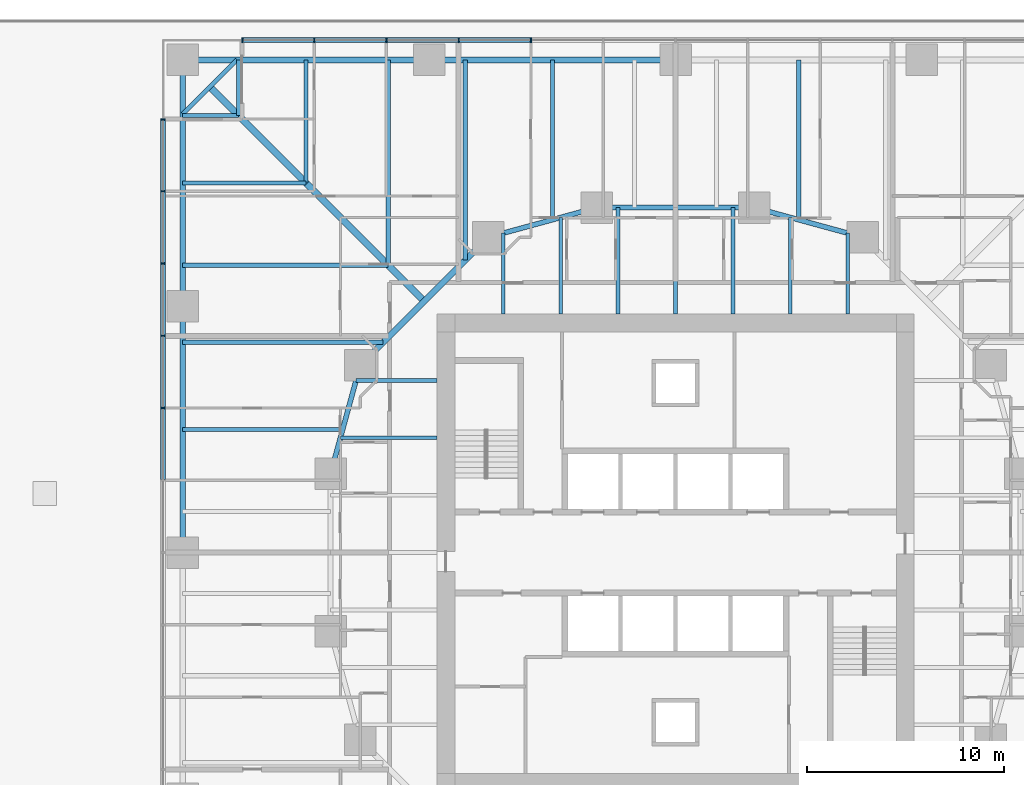
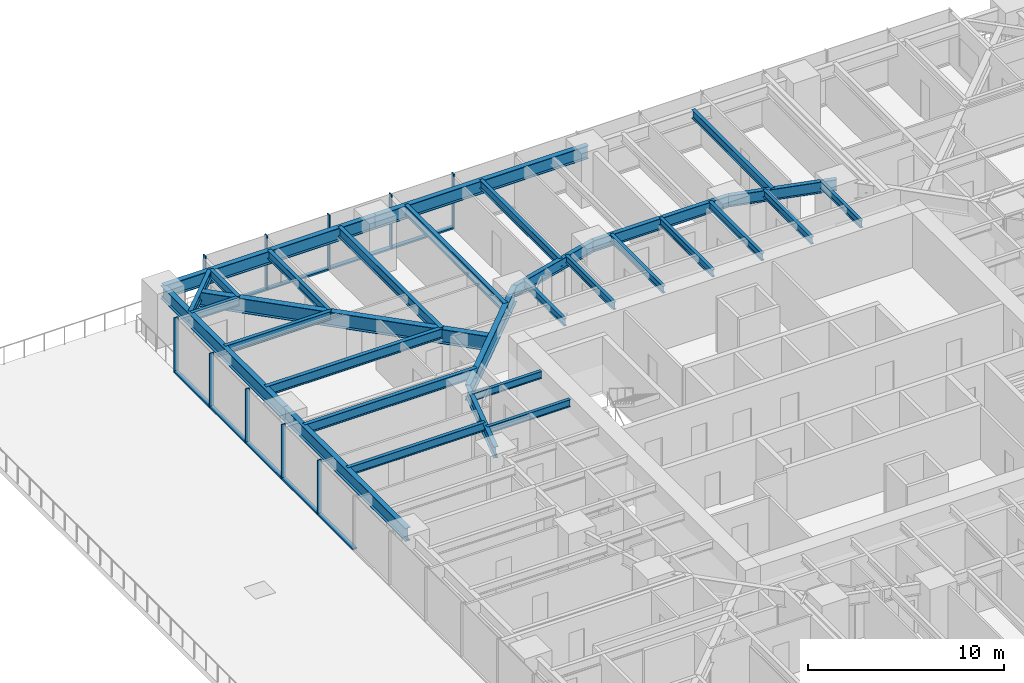
# One storey, part 4 of 15: 31 beams, 19 members, 2 elements without a shape of their own.
"""IFC4 building model written with IfcOpenShell, lengths in metres."""

from ifc_helpers import new_model, si_unit, direction, frame, origin, origin_2d, place, context, subcontext, project, spatial, rectangle, i_section, extrude, material, material_profile, profile_set, type_object, element, aggregate, save


model = new_model("IFC4")

# Units and contexts
model_context = context("Model", 3, precision=1e-05, world=origin(), true_north=direction((0.0, 1.0)))
body_context = subcontext(model_context, "Body", "Model", "MODEL_VIEW")
ifc_project = project(units=[si_unit("LENGTHUNIT", "METRE"), si_unit("AREAUNIT", "SQUARE_METRE"), si_unit("VOLUMEUNIT", "CUBIC_METRE"), si_unit("PLANEANGLEUNIT", "RADIAN"), si_unit("MASSUNIT", "GRAM", prefix="KILO")], contexts=[model_context])

# Site, building, storey
site_placement = place(None, origin())
site = spatial("IfcSite", under=ifc_project, at=site_placement, CompositionType="ELEMENT")
building_placement = place(site_placement, origin())
building = spatial("IfcBuilding", under=site, at=building_placement, Name="Torsade Residences", CompositionType="ELEMENT")
storey_placement = place(building_placement, frame((0.0, 0.0, 15.0)))
storey = spatial("IfcBuildingStorey", under=building, at=storey_placement, Name="L03", CompositionType="ELEMENT", Elevation=15.0)

# Beams
ifc_material_1 = material(Name="Steel grade 300", Category="steel")
ifc_material_profile_1 = material_profile(ifc_material_1, i_section(OverallWidth=0.35009765625, OverallDepth=0.909912109375, WebThickness=0.011962890625, FlangeThickness=0.02490234375, at=origin_2d()), Name="900WB218")
ifc_profile_set_1 = profile_set([ifc_material_profile_1], Name="Steel grade 300")
beam_type_1 = type_object("IfcBeamType", Name="CORNER GIRDER 900WB218", PredefinedType="BEAM", material=ifc_profile_set_1)
beam_1_placement = place(storey_placement, frame((16.375, 53.625, 2.794921875), z_axis=(0.707106781187, -0.707106781187, 0.0), x_axis=(0.707106781187, 0.707106781187, 0.0)))
element("IfcBeam", 1, at=beam_1_placement, inside=storey, type_object=beam_type_1, Name="Corner girder 13 L04", PredefinedType="BEAM", context=body_context, shape_type="SweptSolid", body=[
    extrude(i_section(OverallWidth=0.35009765625, OverallDepth=0.909912109375, WebThickness=0.011962890625, FlangeThickness=0.02490234375, at=origin_2d()), origin(), (0.0, 0.0, 1.0), 15.379638671875),
])
ifc_material_2 = material(Name="Steel grade 300", Category="steel")
ifc_material_profile_2 = material_profile(ifc_material_2, i_section(OverallWidth=0.22802734375, OverallDepth=0.60205078125, WebThickness=0.010498046875, FlangeThickness=0.014892578125, FilletRadius=0.013916015625, at=origin_2d()), Name="610UB101")
ifc_profile_set_2 = profile_set([ifc_material_profile_2], Name="Steel grade 300")
beam_type_2 = type_object("IfcBeamType", Name="CORNER TRIMMER 610UB101", PredefinedType="BEAM", material=ifc_profile_set_2)
beam_2_placement = place(storey_placement, frame((15.0, 52.25, 2.948974609375), z_axis=(0.707106781187, 0.707106781187, 0.0), x_axis=(-0.707106781187, 0.707106781187, 0.0)))
element("IfcBeam", 2, at=beam_2_placement, inside=storey, type_object=beam_type_2, Name="Corner trimmer 13 L04", PredefinedType="BEAM", context=body_context, shape_type="SweptSolid", body=[
    extrude(i_section(OverallWidth=0.22802734375, OverallDepth=0.60205078125, WebThickness=0.010498046875, FlangeThickness=0.014892578125, FilletRadius=0.013916015625, at=origin_2d()), origin(), (0.0, 0.0, 1.0), 3.88916015625),
])

# Curtain wall, members
ifc_material_3 = material(Name="Aluminium and glass", Category="aluminium")
curtain_wall_type = type_object("IfcCurtainWallType", Name="FRITTED GLASS CURTAIN WALL LOW ZONE", PredefinedType="NOTDEFINED", material=ifc_material_3)
curtain_wall_1_placement = place(storey_placement, origin())
curtain_wall_1 = element("IfcCurtainWall", 3, at=curtain_wall_1_placement, inside=storey, type_object=curtain_wall_type, Name="Curtain wall L03 face 7", PredefinedType="NOTDEFINED")
ifc_material_4 = material(Name="Aluminium mullion", Category="aluminium")
ifc_material_profile_3 = material_profile(ifc_material_4, rectangle(XDim=0.25, YDim=0.06494140625, at=origin_2d()), Name="CURTAIN WALL MULLION 250x65")
ifc_profile_set_3 = profile_set([ifc_material_profile_3], Name="Aluminium mullion")
member_type_1 = type_object("IfcMemberType", Name="CURTAIN WALL MULLION 250x65", PredefinedType="MULLION", material=ifc_profile_set_3)
member_1_placement = place(storey_placement, frame((32.666748046875, 56.0, 0.0), z_axis=(0.0, 0.0, 1.0), x_axis=(0.0, -1.0, 0.0)))
member_1 = element("IfcMember", 4, at=member_1_placement, type_object=member_type_1, Name="Mullion 9", PredefinedType="MULLION", context=body_context, shape_type="SweptSolid", body=[
    extrude(rectangle(XDim=0.25, YDim=0.06494140625, at=origin_2d()), origin(), (0.0, 0.0, 1.0), 3.39990234375),
])
member_2_placement = place(storey_placement, frame((29.0, 56.0, 0.0), z_axis=(0.0, 0.0, 1.0), x_axis=(0.0, -1.0, 0.0)))
member_2 = element("IfcMember", 5, at=member_2_placement, type_object=member_type_1, Name="Mullion 10", PredefinedType="MULLION", context=body_context, shape_type="SweptSolid", body=[
    extrude(rectangle(XDim=0.25, YDim=0.06494140625, at=origin_2d()), origin(), (0.0, 0.0, 1.0), 3.39990234375),
])
member_3_placement = place(storey_placement, frame((25.333251953125, 56.0, 0.0), z_axis=(0.0, 0.0, 1.0), x_axis=(0.0, -1.0, 0.0)))
member_3 = element("IfcMember", 6, at=member_3_placement, type_object=member_type_1, Name="Mullion 11", PredefinedType="MULLION", context=body_context, shape_type="SweptSolid", body=[
    extrude(rectangle(XDim=0.25, YDim=0.06494140625, at=origin_2d()), origin(), (0.0, 0.0, 1.0), 3.39990234375),
])
member_4_placement = place(storey_placement, frame((21.666748046875, 56.0, 0.0), z_axis=(0.0, 0.0, 1.0), x_axis=(0.0, -1.0, 0.0)))
member_4 = element("IfcMember", 7, at=member_4_placement, type_object=member_type_1, Name="Mullion 12", PredefinedType="MULLION", context=body_context, shape_type="SweptSolid", body=[
    extrude(rectangle(XDim=0.25, YDim=0.06494140625, at=origin_2d()), origin(), (0.0, 0.0, 1.0), 3.39990234375),
])
member_5_placement = place(storey_placement, frame((18.032470703125, 56.0, 0.0), z_axis=(0.0, 0.0, 1.0), x_axis=(0.0, -1.0, 0.0)))
member_5 = element("IfcMember", 8, at=member_5_placement, type_object=member_type_1, Name="Mullion 13", PredefinedType="MULLION", context=body_context, shape_type="SweptSolid", body=[
    extrude(rectangle(XDim=0.25, YDim=0.06494140625, at=origin_2d()), origin(), (0.0, 0.0, 1.0), 3.39990234375),
])

curtain_wall_2_placement = place(storey_placement, origin())
curtain_wall_2 = element("IfcCurtainWall", 9, at=curtain_wall_2_placement, inside=storey, type_object=curtain_wall_type, Name="Curtain wall L03 face 10", PredefinedType="NOTDEFINED")
member_6_placement = place(storey_placement, frame((14.0, 51.967529296875, 0.0), z_axis=(0.0, 0.0, 1.0), x_axis=(1.0, 0.0, 0.0)))
member_6 = element("IfcMember", 10, at=member_6_placement, type_object=member_type_1, Name="Mullion 1", PredefinedType="MULLION", context=body_context, shape_type="SweptSolid", body=[
    extrude(rectangle(XDim=0.25, YDim=0.06494140625, at=origin_2d()), origin(), (0.0, 0.0, 1.0), 3.39990234375),
])
member_7_placement = place(storey_placement, frame((14.0, 48.333251953125, 0.0), z_axis=(0.0, 0.0, 1.0), x_axis=(1.0, 0.0, 0.0)))
member_7 = element("IfcMember", 11, at=member_7_placement, type_object=member_type_1, Name="Mullion 2", PredefinedType="MULLION", context=body_context, shape_type="SweptSolid", body=[
    extrude(rectangle(XDim=0.25, YDim=0.06494140625, at=origin_2d()), origin(), (0.0, 0.0, 1.0), 3.39990234375),
])
member_8_placement = place(storey_placement, frame((14.0, 44.666748046875, 0.0), z_axis=(0.0, 0.0, 1.0), x_axis=(1.0, 0.0, 0.0)))
member_8 = element("IfcMember", 12, at=member_8_placement, type_object=member_type_1, Name="Mullion 3", PredefinedType="MULLION", context=body_context, shape_type="SweptSolid", body=[
    extrude(rectangle(XDim=0.25, YDim=0.06494140625, at=origin_2d()), origin(), (0.0, 0.0, 1.0), 3.39990234375),
])
member_9_placement = place(storey_placement, frame((14.0, 41.0, 0.0), z_axis=(0.0, 0.0, 1.0), x_axis=(1.0, 0.0, 0.0)))
member_9 = element("IfcMember", 13, at=member_9_placement, type_object=member_type_1, Name="Mullion 4", PredefinedType="MULLION", context=body_context, shape_type="SweptSolid", body=[
    extrude(rectangle(XDim=0.25, YDim=0.06494140625, at=origin_2d()), origin(), (0.0, 0.0, 1.0), 3.39990234375),
])
member_10_placement = place(storey_placement, frame((14.0, 37.333251953125, 0.0), z_axis=(0.0, 0.0, 1.0), x_axis=(1.0, 0.0, 0.0)))
member_10 = element("IfcMember", 14, at=member_10_placement, type_object=member_type_1, Name="Mullion 5", PredefinedType="MULLION", context=body_context, shape_type="SweptSolid", body=[
    extrude(rectangle(XDim=0.25, YDim=0.06494140625, at=origin_2d()), origin(), (0.0, 0.0, 1.0), 3.39990234375),
])

# Member
ifc_material_5 = material(Name="Aluminium transom", Category="aluminium")
ifc_material_profile_4 = material_profile(ifc_material_5, rectangle(XDim=0.25, YDim=0.10009765625, at=origin_2d()), Name="CURTAIN WALL TRANSOM 250x100")
ifc_profile_set_4 = profile_set([ifc_material_profile_4], Name="Aluminium transom")
member_type_2 = type_object("IfcMemberType", Name="CURTAIN WALL TRANSOM 250x100", PredefinedType="USERDEFINED", material=ifc_profile_set_4)
member_11_placement = place(storey_placement, frame((32.63427734375, 56.0, 0.050048828125), z_axis=(-1.0, 0.0, 0.0), x_axis=(0.0, -1.0, 0.0)))
member_11 = element("IfcMember", 15, at=member_11_placement, type_object=member_type_2, Name="Transom 9.1", ObjectType="TRANSOM", PredefinedType="USERDEFINED", context=body_context, shape_type="SweptSolid", body=[
    extrude(rectangle(XDim=0.25, YDim=0.10009765625, at=origin_2d()), origin(), (0.0, 0.0, 1.0), 3.601806640625),
])

member_12_placement = place(storey_placement, frame((28.967529296875, 56.0, 0.050048828125), z_axis=(-1.0, 0.0, 0.0), x_axis=(0.0, -1.0, 0.0)))
member_12 = element("IfcMember", 16, at=member_12_placement, type_object=member_type_2, Name="Transom 10.1", ObjectType="TRANSOM", PredefinedType="USERDEFINED", context=body_context, shape_type="SweptSolid", body=[
    extrude(rectangle(XDim=0.25, YDim=0.10009765625, at=origin_2d()), origin(), (0.0, 0.0, 1.0), 3.601806640625),
])

member_13_placement = place(storey_placement, frame((25.30078125, 56.0, 0.050048828125), z_axis=(-1.0, 0.0, 0.0), x_axis=(0.0, -1.0, 0.0)))
member_13 = element("IfcMember", 17, at=member_13_placement, type_object=member_type_2, Name="Transom 11.1", ObjectType="TRANSOM", PredefinedType="USERDEFINED", context=body_context, shape_type="SweptSolid", body=[
    extrude(rectangle(XDim=0.25, YDim=0.10009765625, at=origin_2d()), origin(), (0.0, 0.0, 1.0), 3.6015625),
])

member_14_placement = place(storey_placement, frame((21.63427734375, 56.0, 0.050048828125), z_axis=(-1.0, 0.0, 0.0), x_axis=(0.0, -1.0, 0.0)))
member_14 = element("IfcMember", 18, at=member_14_placement, type_object=member_type_2, Name="Transom 12.1", ObjectType="TRANSOM", PredefinedType="USERDEFINED", context=body_context, shape_type="SweptSolid", body=[
    extrude(rectangle(XDim=0.25, YDim=0.10009765625, at=origin_2d()), origin(), (0.0, 0.0, 1.0), 3.5693359375),
])

aggregate(curtain_wall_1, [member_1, member_2, member_3, member_4, member_5, member_11, member_12, member_13, member_14])

member_15_placement = place(storey_placement, frame((14.0, 51.93505859375, 0.050048828125), z_axis=(0.0, -1.0, 0.0), x_axis=(1.0, 0.0, 0.0)))
member_15 = element("IfcMember", 19, at=member_15_placement, type_object=member_type_2, Name="Transom 1.1", ObjectType="TRANSOM", PredefinedType="USERDEFINED", context=body_context, shape_type="SweptSolid", body=[
    extrude(rectangle(XDim=0.25, YDim=0.10009765625, at=origin_2d()), origin(), (0.0, 0.0, 1.0), 3.5693359375),
])

member_16_placement = place(storey_placement, frame((14.0, 48.30078125, 0.050048828125), z_axis=(0.0, -1.0, 0.0), x_axis=(1.0, 0.0, 0.0)))
member_16 = element("IfcMember", 20, at=member_16_placement, type_object=member_type_2, Name="Transom 2.1", ObjectType="TRANSOM", PredefinedType="USERDEFINED", context=body_context, shape_type="SweptSolid", body=[
    extrude(rectangle(XDim=0.25, YDim=0.10009765625, at=origin_2d()), origin(), (0.0, 0.0, 1.0), 3.6015625),
])

member_17_placement = place(storey_placement, frame((14.0, 44.63427734375, 0.050048828125), z_axis=(0.0, -1.0, 0.0), x_axis=(1.0, 0.0, 0.0)))
member_17 = element("IfcMember", 21, at=member_17_placement, type_object=member_type_2, Name="Transom 3.1", ObjectType="TRANSOM", PredefinedType="USERDEFINED", context=body_context, shape_type="SweptSolid", body=[
    extrude(rectangle(XDim=0.25, YDim=0.10009765625, at=origin_2d()), origin(), (0.0, 0.0, 1.0), 3.601806640625),
])

member_18_placement = place(storey_placement, frame((14.0, 40.967529296875, 0.050048828125), z_axis=(0.0, -1.0, 0.0), x_axis=(1.0, 0.0, 0.0)))
member_18 = element("IfcMember", 22, at=member_18_placement, type_object=member_type_2, Name="Transom 4.1", ObjectType="TRANSOM", PredefinedType="USERDEFINED", context=body_context, shape_type="SweptSolid", body=[
    extrude(rectangle(XDim=0.25, YDim=0.10009765625, at=origin_2d()), origin(), (0.0, 0.0, 1.0), 3.601806640625),
])

member_19_placement = place(storey_placement, frame((14.0, 37.30078125, 0.050048828125), z_axis=(0.0, -1.0, 0.0), x_axis=(1.0, 0.0, 0.0)))
member_19 = element("IfcMember", 23, at=member_19_placement, type_object=member_type_2, Name="Transom 5.1", ObjectType="TRANSOM", PredefinedType="USERDEFINED", context=body_context, shape_type="SweptSolid", body=[
    extrude(rectangle(XDim=0.25, YDim=0.10009765625, at=origin_2d()), origin(), (0.0, 0.0, 1.0), 3.6015625),
])

aggregate(curtain_wall_2, [member_6, member_7, member_8, member_9, member_10, member_15, member_16, member_17, member_18, member_19])

# Beams
ifc_material_6 = material(Name="Steel grade 300", Category="steel")
ifc_material_profile_5 = material_profile(ifc_material_6, i_section(OverallWidth=0.300048828125, OverallDepth=0.81591796875, WebThickness=0.010009765625, FlangeThickness=0.028076171875, at=origin_2d()), Name="800WB192")
ifc_profile_set_5 = profile_set([ifc_material_profile_5], Name="Steel grade 300")
beam_type_3 = type_object("IfcBeamType", Name="EDGE BEAM 800WB192", PredefinedType="SPANDREL", material=ifc_profile_set_5)
for number, where, z_axis, x_axis, name in (
    (24, (40.0, 55.0, 2.842041015625), (-1.0, 0.0, 0.0), (0.0, -1.0, 0.0), "Edge beam 11 L04"),
    (25, (27.5, 55.0, 2.842041015625), (-1.0, 0.0, 0.0), (0.0, -1.0, 0.0), "Edge beam 12 L04"),
    (26, (15.0, 55.0, 2.842041015625), (0.0, -1.0, 0.0), (1.0, 0.0, 0.0), "Edge beam 13 L04"),
    (27, (15.0, 42.5, 2.842041015625), (0.0, -1.0, 0.0), (1.0, 0.0, 0.0), "Edge beam 14 L04"),
):
    element("IfcBeam", number, at=place(storey_placement, frame(where, z_axis=z_axis, x_axis=x_axis)), inside=storey, type_object=beam_type_3, Name=name, PredefinedType="SPANDREL", context=body_context, shape_type="SweptSolid", body=[
        extrude(i_section(OverallWidth=0.300048828125, OverallDepth=0.81591796875, WebThickness=0.010009765625, FlangeThickness=0.028076171875, at=origin_2d()), origin(), (0.0, 0.0, 1.0), 12.5),
    ])
ifc_material_7 = material(Name="Steel grade 300", Category="steel")
ifc_material_profile_6 = material_profile(ifc_material_7, i_section(OverallWidth=0.18994140625, OverallDepth=0.4541015625, WebThickness=0.008544921875, FlangeThickness=0.0126953125, FilletRadius=0.011474609375, at=origin_2d()), Name="460UB67.1")
ifc_profile_set_6 = profile_set([ifc_material_profile_6], Name="Steel grade 300")
beam_type_4 = type_object("IfcBeamType", Name="INNER FLOOR BEAM 460UB67.1", PredefinedType="JOIST", material=ifc_profile_set_6)
beam_3_placement = place(storey_placement, frame((31.262451171875, 42.10009765625, 3.02294921875), z_axis=(0.0, 1.0, 0.0), x_axis=(-1.0, 0.0, 0.0)))
element("IfcBeam", 28, at=beam_3_placement, inside=storey, type_object=beam_type_4, Name="Inner floor beam IN01 L04", PredefinedType="JOIST", context=body_context, shape_type="SweptSolid", body=[
    extrude(i_section(OverallWidth=0.18994140625, OverallDepth=0.4541015625, WebThickness=0.008544921875, FlangeThickness=0.0126953125, FilletRadius=0.011474609375, at=origin_2d()), origin(), (0.0, 0.0, 1.0), 4.10791015625),
])
beam_4_placement = place(storey_placement, frame((34.175048828125, 42.10009765625, 3.02294921875), z_axis=(0.0, 1.0, 0.0), x_axis=(-1.0, 0.0, 0.0)))
element("IfcBeam", 29, at=beam_4_placement, inside=storey, type_object=beam_type_4, Name="Inner floor beam IN02 L04", PredefinedType="JOIST", context=body_context, shape_type="SweptSolid", body=[
    extrude(i_section(OverallWidth=0.18994140625, OverallDepth=0.4541015625, WebThickness=0.008544921875, FlangeThickness=0.0126953125, FilletRadius=0.011474609375, at=origin_2d()), origin(), (0.0, 0.0, 1.0), 4.902099609375),
])
for number, where, z_axis, x_axis, name in (
    (30, (37.08740234375, 42.10009765625, 3.02294921875), (0.0, 1.0, 0.0), (-1.0, 0.0, 0.0), "Inner floor beam IN03 L04"),
    (31, (40.0, 42.10009765625, 3.02294921875), (0.0, 1.0, 0.0), (-1.0, 0.0, 0.0), "Inner floor beam IN04 L04"),
    (32, (42.91259765625, 42.10009765625, 3.02294921875), (0.0, 1.0, 0.0), (-1.0, 0.0, 0.0), "Inner floor beam IN05 L04"),
):
    element("IfcBeam", number, at=place(storey_placement, frame(where, z_axis=z_axis, x_axis=x_axis)), inside=storey, type_object=beam_type_4, Name=name, PredefinedType="JOIST", context=body_context, shape_type="SweptSolid", body=[
        extrude(i_section(OverallWidth=0.18994140625, OverallDepth=0.4541015625, WebThickness=0.008544921875, FlangeThickness=0.0126953125, FilletRadius=0.011474609375, at=origin_2d()), origin(), (0.0, 0.0, 1.0), 5.39990234375),
    ])
beam_5_placement = place(storey_placement, frame((45.824951171875, 42.10009765625, 3.02294921875), z_axis=(0.0, 1.0, 0.0), x_axis=(-1.0, 0.0, 0.0)))
element("IfcBeam", 33, at=beam_5_placement, inside=storey, type_object=beam_type_4, Name="Inner floor beam IN06 L04", PredefinedType="JOIST", context=body_context, shape_type="SweptSolid", body=[
    extrude(i_section(OverallWidth=0.18994140625, OverallDepth=0.4541015625, WebThickness=0.008544921875, FlangeThickness=0.0126953125, FilletRadius=0.011474609375, at=origin_2d()), origin(), (0.0, 0.0, 1.0), 4.902099609375),
])
for number, where, z_axis, x_axis, name in (
    (34, (48.737548828125, 42.10009765625, 3.02294921875), (0.0, 1.0, 0.0), (-1.0, 0.0, 0.0), "Inner floor beam IN07 L04"),
    (35, (27.89990234375, 38.737548828125, 3.02294921875), (-1.0, 0.0, 0.0), (0.0, -1.0, 0.0), "Inner floor beam IW01 L04"),
):
    element("IfcBeam", number, at=place(storey_placement, frame(where, z_axis=z_axis, x_axis=x_axis)), inside=storey, type_object=beam_type_4, Name=name, PredefinedType="JOIST", context=body_context, shape_type="SweptSolid", body=[
        extrude(i_section(OverallWidth=0.18994140625, OverallDepth=0.4541015625, WebThickness=0.008544921875, FlangeThickness=0.0126953125, FilletRadius=0.011474609375, at=origin_2d()), origin(), (0.0, 0.0, 1.0), 4.10791015625),
    ])
beam_6_placement = place(storey_placement, frame((27.89990234375, 35.824951171875, 3.02294921875), z_axis=(-1.0, 0.0, 0.0), x_axis=(0.0, -1.0, 0.0)))
element("IfcBeam", 36, at=beam_6_placement, inside=storey, type_object=beam_type_4, Name="Inner floor beam IW02 L04", PredefinedType="JOIST", context=body_context, shape_type="SweptSolid", body=[
    extrude(i_section(OverallWidth=0.18994140625, OverallDepth=0.4541015625, WebThickness=0.008544921875, FlangeThickness=0.0126953125, FilletRadius=0.011474609375, at=origin_2d()), origin(), (0.0, 0.0, 1.0), 4.902099609375),
])
ifc_material_8 = material(Name="Steel grade 300", Category="steel")
ifc_material_profile_7 = material_profile(ifc_material_8, i_section(OverallWidth=0.300048828125, OverallDepth=1.0, WebThickness=0.01611328125, FlangeThickness=0.028076171875, at=origin_2d()), Name="1000WB215")
ifc_profile_set_7 = profile_set([ifc_material_profile_7], Name="Steel grade 300")
beam_type_5 = type_object("IfcBeamType", Name="RING CORNER GIRDER 1000WB215", PredefinedType="BEAM", material=ifc_profile_set_7)
beam_7_placement = place(storey_placement, frame((30.5, 46.0, 2.75), z_axis=(-0.707106781187, -0.707106781187, 0.0), x_axis=(0.707106781187, -0.707106781187, 0.0)))
element("IfcBeam", 37, at=beam_7_placement, inside=storey, type_object=beam_type_5, Name="Ring girder IR07 L04", PredefinedType="BEAM", context=body_context, shape_type="SweptSolid", body=[
    extrude(i_section(OverallWidth=0.300048828125, OverallDepth=1.0, WebThickness=0.01611328125, FlangeThickness=0.028076171875, at=origin_2d()), origin(), (0.0, 0.0, 1.0), 9.1923828125),
])
ifc_material_9 = material(Name="Steel grade 300", Category="steel")
ifc_material_profile_8 = material_profile(ifc_material_9, i_section(OverallWidth=0.25, OverallDepth=0.699951171875, WebThickness=0.010009765625, FlangeThickness=0.02001953125, at=origin_2d()), Name="700WB130")
ifc_profile_set_8 = profile_set([ifc_material_profile_8], Name="Steel grade 300")
beam_type_6 = type_object("IfcBeamType", Name="RING GIRDER 700WB130", PredefinedType="BEAM", material=ifc_profile_set_8)
beam_8_placement = place(storey_placement, frame((49.5, 46.0, 2.89990234375), z_axis=(-0.964763821238, 0.263117405792, 0.0), x_axis=(-0.263117405792, -0.964763821238, 0.0)))
element("IfcBeam", 38, at=beam_8_placement, inside=storey, type_object=beam_type_6, Name="Ring girder IR04 L04", PredefinedType="BEAM", context=body_context, shape_type="SweptSolid", body=[
    extrude(i_section(OverallWidth=0.25, OverallDepth=0.699951171875, WebThickness=0.010009765625, FlangeThickness=0.02001953125, at=origin_2d()), origin(), (0.0, 0.0, 1.0), 5.700927734375),
])
beam_9_placement = place(storey_placement, frame((44.0, 47.5, 2.89990234375), z_axis=(-1.0, 0.0, 0.0), x_axis=(0.0, -1.0, 0.0)))
element("IfcBeam", 39, at=beam_9_placement, inside=storey, type_object=beam_type_6, Name="Ring girder IR05 L04", PredefinedType="BEAM", context=body_context, shape_type="SweptSolid", body=[
    extrude(i_section(OverallWidth=0.25, OverallDepth=0.699951171875, WebThickness=0.010009765625, FlangeThickness=0.02001953125, at=origin_2d()), origin(), (0.0, 0.0, 1.0), 8.0),
])
for number, where, z_axis, x_axis, name in (
    (40, (36.0, 47.5, 2.89990234375), (-0.964763821238, -0.263117405792, 0.0), (0.263117405792, -0.964763821238, 0.0), "Ring girder IR06 L04"),
    (41, (24.0, 39.5, 2.89990234375), (-0.263117405792, -0.964763821238, 0.0), (0.964763821238, -0.263117405792, 0.0), "Ring girder IR08 L04"),
):
    element("IfcBeam", number, at=place(storey_placement, frame(where, z_axis=z_axis, x_axis=x_axis)), inside=storey, type_object=beam_type_6, Name=name, PredefinedType="BEAM", context=body_context, shape_type="SweptSolid", body=[
        extrude(i_section(OverallWidth=0.25, OverallDepth=0.699951171875, WebThickness=0.010009765625, FlangeThickness=0.02001953125, at=origin_2d()), origin(), (0.0, 0.0, 1.0), 5.700927734375),
    ])
ifc_material_10 = material(Name="Steel grade 300", Category="steel")
ifc_material_profile_9 = material_profile(ifc_material_10, i_section(OverallWidth=0.208984375, OverallDepth=0.528076171875, WebThickness=0.009521484375, FlangeThickness=0.01318359375, FilletRadius=0.013916015625, at=origin_2d()), Name="530UB82.0")
ifc_profile_set_9 = profile_set([ifc_material_profile_9], Name="Steel grade 300")
beam_type_7 = type_object("IfcBeamType", Name="SECONDARY BEAM 530UB82.0", PredefinedType="JOIST", material=ifc_profile_set_9)
for number, where, z_axis, x_axis, name in (
    (42, (46.25, 55.0, 2.986083984375), (0.0, -1.0, 0.0), (1.0, 0.0, 0.0), "Floor beam FN05 L04"),
    (43, (33.75, 55.0, 2.986083984375), (0.0, -1.0, 0.0), (1.0, 0.0, 0.0), "Floor beam FN08 L04"),
):
    element("IfcBeam", number, at=place(storey_placement, frame(where, z_axis=z_axis, x_axis=x_axis)), inside=storey, type_object=beam_type_7, Name=name, PredefinedType="JOIST", context=body_context, shape_type="SweptSolid", body=[
        extrude(i_section(OverallWidth=0.208984375, OverallDepth=0.528076171875, WebThickness=0.009521484375, FlangeThickness=0.01318359375, FilletRadius=0.013916015625, at=origin_2d()), origin(), (0.0, 0.0, 1.0), 8.113525390625),
    ])
beam_10_placement = place(storey_placement, frame((21.25, 55.0, 2.986083984375), z_axis=(0.0, -1.0, 0.0), x_axis=(1.0, 0.0, 0.0)))
element("IfcBeam", 44, at=beam_10_placement, inside=storey, type_object=beam_type_7, Name="Floor beam FN11 L04", PredefinedType="JOIST", context=body_context, shape_type="SweptSolid", body=[
    extrude(i_section(OverallWidth=0.208984375, OverallDepth=0.528076171875, WebThickness=0.009521484375, FlangeThickness=0.01318359375, FilletRadius=0.013916015625, at=origin_2d()), origin(), (0.0, 0.0, 1.0), 6.25),
])
for number, where, z_axis, x_axis, name in (
    (45, (17.833251953125, 55.0, 2.986083984375), (0.0, -1.0, 0.0), (1.0, 0.0, 0.0), "Floor beam FN12 L04"),
    (46, (15.0, 52.166748046875, 2.986083984375), (1.0, 0.0, 0.0), (0.0, 1.0, 0.0), "Floor beam FW01 L04"),
):
    element("IfcBeam", number, at=place(storey_placement, frame(where, z_axis=z_axis, x_axis=x_axis)), inside=storey, type_object=beam_type_7, Name=name, PredefinedType="JOIST", context=body_context, shape_type="SweptSolid", body=[
        extrude(i_section(OverallWidth=0.208984375, OverallDepth=0.528076171875, WebThickness=0.009521484375, FlangeThickness=0.01318359375, FilletRadius=0.013916015625, at=origin_2d()), origin(), (0.0, 0.0, 1.0), 2.833251953125),
    ])
beam_11_placement = place(storey_placement, frame((15.0, 48.75, 2.986083984375), z_axis=(1.0, 0.0, 0.0), x_axis=(0.0, 1.0, 0.0)))
element("IfcBeam", 47, at=beam_11_placement, inside=storey, type_object=beam_type_7, Name="Floor beam FW02 L04", PredefinedType="JOIST", context=body_context, shape_type="SweptSolid", body=[
    extrude(i_section(OverallWidth=0.208984375, OverallDepth=0.528076171875, WebThickness=0.009521484375, FlangeThickness=0.01318359375, FilletRadius=0.013916015625, at=origin_2d()), origin(), (0.0, 0.0, 1.0), 6.25),
])
beam_12_placement = place(storey_placement, frame((15.0, 36.25, 2.986083984375), z_axis=(1.0, 0.0, 0.0), x_axis=(0.0, 1.0, 0.0)))
element("IfcBeam", 48, at=beam_12_placement, inside=storey, type_object=beam_type_7, Name="Floor beam FW05 L04", PredefinedType="JOIST", context=body_context, shape_type="SweptSolid", body=[
    extrude(i_section(OverallWidth=0.208984375, OverallDepth=0.528076171875, WebThickness=0.009521484375, FlangeThickness=0.01318359375, FilletRadius=0.013916015625, at=origin_2d()), origin(), (0.0, 0.0, 1.0), 8.113525390625),
])
ifc_material_11 = material(Name="Steel grade 300", Category="steel")
ifc_material_profile_10 = material_profile(ifc_material_11, i_section(OverallWidth=0.22900390625, OverallDepth=0.612060546875, WebThickness=0.011962890625, FlangeThickness=0.01953125, FilletRadius=0.013916015625, at=origin_2d()), Name="610UB125")
ifc_profile_set_10 = profile_set([ifc_material_profile_10], Name="Steel grade 300")
beam_type_8 = type_object("IfcBeamType", Name="SECONDARY BEAM 610UB125", PredefinedType="JOIST", material=ifc_profile_set_10)
beam_13_placement = place(storey_placement, frame((29.333251953125, 55.0, 2.944091796875), z_axis=(0.0, -1.0, 0.0), x_axis=(1.0, 0.0, 0.0)))
element("IfcBeam", 49, at=beam_13_placement, inside=storey, type_object=beam_type_8, Name="Floor beam FN09 L04", PredefinedType="JOIST", context=body_context, shape_type="SweptSolid", body=[
    extrude(i_section(OverallWidth=0.22900390625, OverallDepth=0.612060546875, WebThickness=0.011962890625, FlangeThickness=0.01953125, FilletRadius=0.013916015625, at=origin_2d()), origin(), (0.0, 0.0, 1.0), 10.166748046875),
])
for number, where, z_axis, x_axis, name in (
    (50, (25.416748046875, 55.0, 2.944091796875), (0.0, -1.0, 0.0), (1.0, 0.0, 0.0), "Floor beam FN10 L04"),
    (51, (15.0, 44.583251953125, 2.944091796875), (1.0, 0.0, 0.0), (0.0, 1.0, 0.0), "Floor beam FW03 L04"),
):
    element("IfcBeam", number, at=place(storey_placement, frame(where, z_axis=z_axis, x_axis=x_axis)), inside=storey, type_object=beam_type_8, Name=name, PredefinedType="JOIST", context=body_context, shape_type="SweptSolid", body=[
        extrude(i_section(OverallWidth=0.22900390625, OverallDepth=0.612060546875, WebThickness=0.011962890625, FlangeThickness=0.01953125, FilletRadius=0.013916015625, at=origin_2d()), origin(), (0.0, 0.0, 1.0), 10.416748046875),
    ])
beam_14_placement = place(storey_placement, frame((15.0, 40.666748046875, 2.944091796875), z_axis=(1.0, 0.0, 0.0), x_axis=(0.0, 1.0, 0.0)))
element("IfcBeam", 52, at=beam_14_placement, inside=storey, type_object=beam_type_8, Name="Floor beam FW04 L04", PredefinedType="JOIST", context=body_context, shape_type="SweptSolid", body=[
    extrude(i_section(OverallWidth=0.22900390625, OverallDepth=0.612060546875, WebThickness=0.011962890625, FlangeThickness=0.01953125, FilletRadius=0.013916015625, at=origin_2d()), origin(), (0.0, 0.0, 1.0), 10.166748046875),
])

save(model, "model.ifc")
